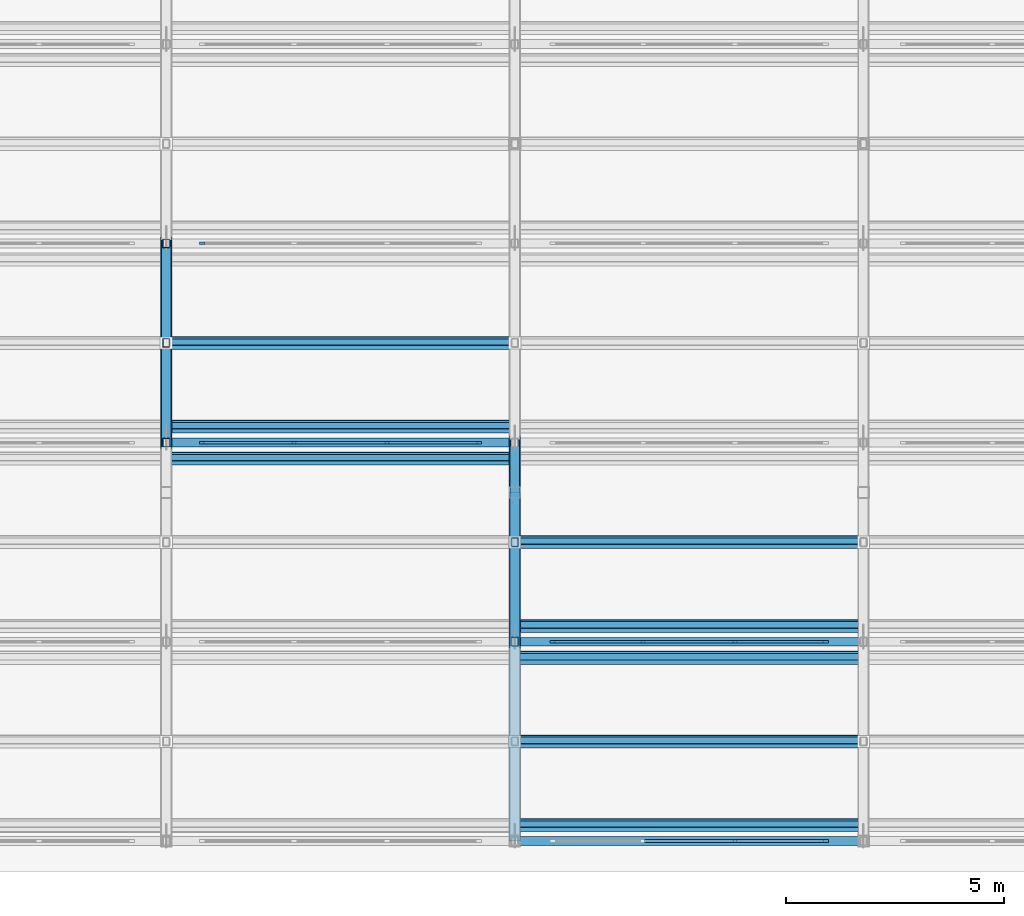
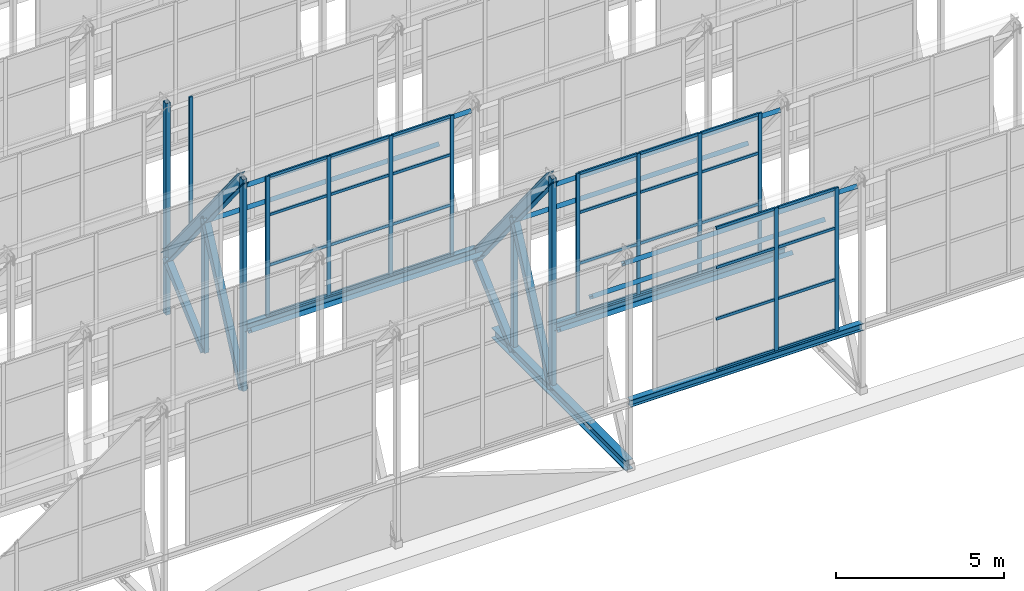
# One storey, part 10 of 34: 62 members, 4 beams, 4 elements without a shape of their own.
"""IFC4 building model written with IfcOpenShell, lengths in metres."""

from ifc_helpers import new_model, si_unit, direction, frame, origin, origin_2d, place, context, subcontext, project, spatial, rectangle, hollow_rectangle, i_section, extrude, material, layer, layer_set, material_profile, profile_set, type_object, element, aggregate, save


model = new_model("IFC4")

# Units and contexts
model_context = context("Model", 3, precision=1e-05, world=origin(), true_north=direction((0.0, 1.0)))
body_context = subcontext(model_context, "Body", "Model", "MODEL_VIEW")
ifc_project = project(units=[si_unit("LENGTHUNIT", "METRE"), si_unit("AREAUNIT", "SQUARE_METRE"), si_unit("VOLUMEUNIT", "CUBIC_METRE"), si_unit("PLANEANGLEUNIT", "RADIAN"), si_unit("MASSUNIT", "GRAM", prefix="KILO")], contexts=[model_context])

# Site, building, storey
site_placement = place(None, origin())
site = spatial("IfcSite", under=ifc_project, at=site_placement, CompositionType="ELEMENT")
building_placement = place(site_placement, origin())
building = spatial("IfcBuilding", under=site, at=building_placement, Name="Qorikala Patio Media Centre", CompositionType="ELEMENT")
storey_placement = place(building_placement, frame((0.0, 0.0, 32.699951171875)))
storey = spatial("IfcBuildingStorey", under=building, at=storey_placement, Name="RF", CompositionType="ELEMENT", Elevation=32.699951171875)

# Members
ifc_material_1 = material(Name="Steel S355", Category="steel")
ifc_material_profile_1 = material_profile(ifc_material_1, hollow_rectangle(XDim=0.219970703125, YDim=0.219970703125, WallThickness=0.010009765625, at=origin_2d()), Name="HSS220X220X10")
ifc_profile_set_1 = profile_set([ifc_material_profile_1], Name="Steel S355")
member_type_1 = type_object("IfcMemberType", Name="BRACE-HSS220", PredefinedType="BRACE", material=ifc_profile_set_1)
member_1_placement = place(storey_placement, frame((19.0, 12.142822265625, 0.35009765625), z_axis=(0.0, 0.424545396895, 0.90540665227), x_axis=(-1.0, 0.0, 0.0)))
element("IfcMember", 1, at=member_1_placement, inside=storey, type_object=member_type_1, Name="SAW-V1 Truss 3 Bay 3 Web Diagonal 1", PredefinedType="BRACE", context=body_context, shape_type="SweptSolid", body=[
    extrude(hollow_rectangle(XDim=0.219970703125, YDim=0.219970703125, WallThickness=0.010009765625, at=origin_2d()), origin(), (0.0, 0.0, 1.0), 5.38427734375),
])
member_2_placement = place(storey_placement, frame((19.0, 14.4287109375, 0.35009765625), z_axis=(0.0, 0.744431778243, 0.667698530432), x_axis=(-1.0, 0.0, 0.0)))
element("IfcMember", 2, at=member_2_placement, inside=storey, type_object=member_type_1, Name="SAW-V1 Truss 3 Bay 3 Web Diagonal 2", PredefinedType="BRACE", context=body_context, shape_type="SweptSolid", body=[
    extrude(hollow_rectangle(XDim=0.219970703125, YDim=0.219970703125, WallThickness=0.010009765625, at=origin_2d()), origin(), (0.0, 0.0, 1.0), 3.0703125),
])
member_3_placement = place(storey_placement, frame((27.0, 7.5712890625, 0.35009765625), z_axis=(0.0, 0.424545396895, 0.90540665227), x_axis=(-1.0, 0.0, 0.0)))
element("IfcMember", 3, at=member_3_placement, inside=storey, type_object=member_type_1, Name="SAW-V1 Truss 4 Bay 2 Web Diagonal 1", PredefinedType="BRACE", context=body_context, shape_type="SweptSolid", body=[
    extrude(hollow_rectangle(XDim=0.219970703125, YDim=0.219970703125, WallThickness=0.010009765625, at=origin_2d()), origin(), (0.0, 0.0, 1.0), 5.38427734375),
])
member_4_placement = place(storey_placement, frame((27.0, 9.857177734375, 0.35009765625), z_axis=(0.0, 0.744431778243, 0.667698530432), x_axis=(-1.0, 0.0, 0.0)))
element("IfcMember", 4, at=member_4_placement, inside=storey, type_object=member_type_1, Name="SAW-V1 Truss 4 Bay 2 Web Diagonal 2", PredefinedType="BRACE", context=body_context, shape_type="SweptSolid", body=[
    extrude(hollow_rectangle(XDim=0.219970703125, YDim=0.219970703125, WallThickness=0.010009765625, at=origin_2d()), origin(), (0.0, 0.0, 1.0), 3.0703125),
])
ifc_material_profile_2 = material_profile(ifc_material_1, i_section(OverallWidth=0.257080078125, OverallDepth=0.363037109375, WebThickness=0.012939453125, FlangeThickness=0.021728515625, at=origin_2d()), Name="W360X122")
ifc_profile_set_2 = profile_set([ifc_material_profile_2], Name="Steel S355")
member_type_2 = type_object("IfcMemberType", Name="CHORD-W360X122", PredefinedType="CHORD", material=ifc_profile_set_2)
for number, where, z_axis, x_axis, name in (
    (5, (19.0, 12.142822265625, 8.050048828125), (0.0, 0.629015570493, -0.777392701327), (-1.0, 0.0, 0.0), "SAW-V1 Truss 3 Bay 3 Sloped Top Chord"),
    (6, (27.0, 7.5712890625, 8.050048828125), (0.0, 0.629015570493, -0.777392701327), (-1.0, 0.0, 0.0), "SAW-V1 Truss 4 Bay 2 Sloped Top Chord"),
):
    element("IfcMember", number, at=place(storey_placement, frame(where, z_axis=z_axis, x_axis=x_axis)), inside=storey, type_object=member_type_2, Name=name, PredefinedType="CHORD", context=body_context, shape_type="SweptSolid", body=[
        extrude(i_section(OverallWidth=0.257080078125, OverallDepth=0.363037109375, WebThickness=0.012939453125, FlangeThickness=0.021728515625, at=origin_2d()), origin(), (0.0, 0.0, 1.0), 7.267822265625),
    ])

# Curtain wall, members
ifc_material_2 = material(Name="Bronze Anodised Aluminium and Low-E Glass", Category="aluminium")
ifc_layer_1 = layer(ifc_material_2, 0.159912109375)
ifc_layer_set_1 = layer_set([ifc_layer_1], Name="Bronze Anodised Aluminium and Low-E Glass")
curtain_wall_type_1 = type_object("IfcCurtainWallType", Name="CW-SAW-632X520", PredefinedType="USERDEFINED", material=ifc_layer_set_1)
curtain_wall_1_placement = place(storey_placement, origin())
curtain_wall_1 = element("IfcCurtainWall", 7, at=curtain_wall_1_placement, inside=storey, type_object=curtain_wall_type_1, Name="RF Sawtooth Glazing 110", ObjectType="SAWTOOTH GLAZING", PredefinedType="USERDEFINED")
ifc_material_3 = material(Name="Bronze Anodised Aluminium", Category="aluminium")
ifc_material_profile_3 = material_profile(ifc_material_3, rectangle(XDim=0.06005859375, YDim=0.1298828125, at=origin_2d()), Name="ALU MULLION 60x130")
ifc_profile_set_3 = profile_set([ifc_material_profile_3], Name="Bronze Anodised Aluminium")
member_type_3 = type_object("IfcMemberType", Name="CWM-60X130", PredefinedType="MULLION", material=ifc_profile_set_3)
member_5_placement = place(storey_placement, frame((32.05322265625, 3.0, 2.75), z_axis=(0.0, 0.0, 1.0), x_axis=(0.0, 1.0, 0.0)))
member_5 = element("IfcMember", 8, at=member_5_placement, type_object=member_type_3, Name="CWS632520 mullion 3", PredefinedType="MULLION", context=body_context, shape_type="SweptSolid", body=[
    extrude(rectangle(XDim=0.06005859375, YDim=0.1298828125, at=origin_2d()), origin(), (0.0, 0.0, 1.0), 5.199951171875),
])
member_6_placement = place(storey_placement, frame((34.1298828125, 3.0, 2.75), z_axis=(0.0, 0.0, 1.0), x_axis=(0.0, 1.0, 0.0)))
member_6 = element("IfcMember", 9, at=member_6_placement, type_object=member_type_3, Name="CWS632520 mullion 4", PredefinedType="MULLION", context=body_context, shape_type="SweptSolid", body=[
    extrude(rectangle(XDim=0.06005859375, YDim=0.1298828125, at=origin_2d()), origin(), (0.0, 0.0, 1.0), 5.199951171875),
])

ifc_layer_2 = layer(ifc_material_2, 0.159912109375)
ifc_layer_set_2 = layer_set([ifc_layer_2], Name="Bronze Anodised Aluminium and Low-E Glass")
curtain_wall_type_2 = type_object("IfcCurtainWallType", Name="CW-SAW-632X514", PredefinedType="USERDEFINED", material=ifc_layer_set_2)
curtain_wall_2_placement = place(storey_placement, origin())
curtain_wall_2 = element("IfcCurtainWall", 10, at=curtain_wall_2_placement, inside=storey, type_object=curtain_wall_type_2, Name="RF Sawtooth Glazing 115", ObjectType="SAWTOOTH GLAZING", PredefinedType="USERDEFINED")
member_7_placement = place(storey_placement, frame((27.8701171875, 7.5712890625, 2.75), z_axis=(0.0, 0.0, 1.0), x_axis=(0.0, 1.0, 0.0)))
member_7 = element("IfcMember", 11, at=member_7_placement, type_object=member_type_3, Name="CWS632514 mullion 1", PredefinedType="MULLION", context=body_context, shape_type="SweptSolid", body=[
    extrude(rectangle(XDim=0.06005859375, YDim=0.1298828125, at=origin_2d()), origin(), (0.0, 0.0, 1.0), 5.14013671875),
])
member_8_placement = place(storey_placement, frame((29.94677734375, 7.5712890625, 2.75), z_axis=(0.0, 0.0, 1.0), x_axis=(0.0, 1.0, 0.0)))
member_8 = element("IfcMember", 12, at=member_8_placement, type_object=member_type_3, Name="CWS632514 mullion 2", PredefinedType="MULLION", context=body_context, shape_type="SweptSolid", body=[
    extrude(rectangle(XDim=0.06005859375, YDim=0.1298828125, at=origin_2d()), origin(), (0.0, 0.0, 1.0), 5.14013671875),
])
member_9_placement = place(storey_placement, frame((32.05322265625, 7.5712890625, 2.75), z_axis=(0.0, 0.0, 1.0), x_axis=(0.0, 1.0, 0.0)))
member_9 = element("IfcMember", 13, at=member_9_placement, type_object=member_type_3, Name="CWS632514 mullion 3", PredefinedType="MULLION", context=body_context, shape_type="SweptSolid", body=[
    extrude(rectangle(XDim=0.06005859375, YDim=0.1298828125, at=origin_2d()), origin(), (0.0, 0.0, 1.0), 5.14013671875),
])
member_10_placement = place(storey_placement, frame((34.1298828125, 7.5712890625, 2.75), z_axis=(0.0, 0.0, 1.0), x_axis=(0.0, 1.0, 0.0)))
member_10 = element("IfcMember", 14, at=member_10_placement, type_object=member_type_3, Name="CWS632514 mullion 4", PredefinedType="MULLION", context=body_context, shape_type="SweptSolid", body=[
    extrude(rectangle(XDim=0.06005859375, YDim=0.1298828125, at=origin_2d()), origin(), (0.0, 0.0, 1.0), 5.14013671875),
])

ifc_layer_3 = layer(ifc_material_2, 0.159912109375)
ifc_layer_set_3 = layer_set([ifc_layer_3], Name="Bronze Anodised Aluminium and Low-E Glass")
curtain_wall_type_3 = type_object("IfcCurtainWallType", Name="CW-SAW-640X508", PredefinedType="USERDEFINED", material=ifc_layer_set_3)
curtain_wall_3_placement = place(storey_placement, origin())
curtain_wall_3 = element("IfcCurtainWall", 15, at=curtain_wall_3_placement, inside=storey, type_object=curtain_wall_type_3, Name="RF Sawtooth Glazing 119", ObjectType="SAWTOOTH GLAZING", PredefinedType="USERDEFINED")
member_11_placement = place(storey_placement, frame((19.830078125, 12.142822265625, 2.75), z_axis=(0.0, 0.0, 1.0), x_axis=(0.0, 1.0, 0.0)))
member_11 = element("IfcMember", 16, at=member_11_placement, type_object=member_type_3, Name="CWS640508 mullion 1", PredefinedType="MULLION", context=body_context, shape_type="SweptSolid", body=[
    extrude(rectangle(XDim=0.06005859375, YDim=0.1298828125, at=origin_2d()), origin(), (0.0, 0.0, 1.0), 5.080078125),
])
member_12_placement = place(storey_placement, frame((21.933349609375, 12.142822265625, 2.75), z_axis=(0.0, 0.0, 1.0), x_axis=(0.0, 1.0, 0.0)))
member_12 = element("IfcMember", 17, at=member_12_placement, type_object=member_type_3, Name="CWS640508 mullion 2", PredefinedType="MULLION", context=body_context, shape_type="SweptSolid", body=[
    extrude(rectangle(XDim=0.06005859375, YDim=0.1298828125, at=origin_2d()), origin(), (0.0, 0.0, 1.0), 5.080078125),
])
member_13_placement = place(storey_placement, frame((24.066650390625, 12.142822265625, 2.75), z_axis=(0.0, 0.0, 1.0), x_axis=(0.0, 1.0, 0.0)))
member_13 = element("IfcMember", 18, at=member_13_placement, type_object=member_type_3, Name="CWS640508 mullion 3", PredefinedType="MULLION", context=body_context, shape_type="SweptSolid", body=[
    extrude(rectangle(XDim=0.06005859375, YDim=0.1298828125, at=origin_2d()), origin(), (0.0, 0.0, 1.0), 5.080078125),
])
member_14_placement = place(storey_placement, frame((26.169921875, 12.142822265625, 2.75), z_axis=(0.0, 0.0, 1.0), x_axis=(0.0, 1.0, 0.0)))
member_14 = element("IfcMember", 19, at=member_14_placement, type_object=member_type_3, Name="CWS640508 mullion 4", PredefinedType="MULLION", context=body_context, shape_type="SweptSolid", body=[
    extrude(rectangle(XDim=0.06005859375, YDim=0.1298828125, at=origin_2d()), origin(), (0.0, 0.0, 1.0), 5.080078125),
])

# Curtain wall, member
ifc_layer_4 = layer(ifc_material_2, 0.159912109375)
ifc_layer_set_4 = layer_set([ifc_layer_4], Name="Bronze Anodised Aluminium and Low-E Glass")
curtain_wall_type_4 = type_object("IfcCurtainWallType", Name="CW-SAW-640X520", PredefinedType="USERDEFINED", material=ifc_layer_set_4)
curtain_wall_4_placement = place(storey_placement, origin())
curtain_wall_4 = element("IfcCurtainWall", 20, at=curtain_wall_4_placement, inside=storey, type_object=curtain_wall_type_4, Name="RF Sawtooth Glazing 124", ObjectType="SAWTOOTH GLAZING", PredefinedType="USERDEFINED")
member_15_placement = place(storey_placement, frame((19.830078125, 16.71435546875, 2.75), z_axis=(0.0, 0.0, 1.0), x_axis=(0.0, 1.0, 0.0)))
member_15 = element("IfcMember", 21, at=member_15_placement, type_object=member_type_3, Name="CWS640520 mullion 1", PredefinedType="MULLION", context=body_context, shape_type="SweptSolid", body=[
    extrude(rectangle(XDim=0.06005859375, YDim=0.1298828125, at=origin_2d()), origin(), (0.0, 0.0, 1.0), 5.199951171875),
])
aggregate(curtain_wall_4, [member_15])

# Member
ifc_material_profile_4 = material_profile(ifc_material_3, rectangle(XDim=0.06005859375, YDim=0.10009765625, at=origin_2d()), Name="ALU TRANSOM 60x100")
ifc_profile_set_4 = profile_set([ifc_material_profile_4], Name="Bronze Anodised Aluminium")
member_type_4 = type_object("IfcMemberType", Name="CWT-60X100", PredefinedType="USERDEFINED", material=ifc_profile_set_4)
member_16_placement = place(storey_placement, frame((29.9765625, 3.0, 2.780029296875), z_axis=(1.0, 0.0, 0.0), x_axis=(0.0, 1.0, 0.0)))
member_16 = element("IfcMember", 22, at=member_16_placement, type_object=member_type_4, Name="CWS632520 transom 2.1", ObjectType="TRANSOM", PredefinedType="USERDEFINED", context=body_context, shape_type="SweptSolid", body=[
    extrude(rectangle(XDim=0.06005859375, YDim=0.10009765625, at=origin_2d()), origin(), (0.0, 0.0, 1.0), 2.046875),
])

member_17_placement = place(storey_placement, frame((29.9765625, 3.0, 4.6220703125), z_axis=(1.0, 0.0, 0.0), x_axis=(0.0, 1.0, 0.0)))
member_17 = element("IfcMember", 23, at=member_17_placement, type_object=member_type_4, Name="CWS632520 transom 2.2", ObjectType="TRANSOM", PredefinedType="USERDEFINED", context=body_context, shape_type="SweptSolid", body=[
    extrude(rectangle(XDim=0.06005859375, YDim=0.10009765625, at=origin_2d()), origin(), (0.0, 0.0, 1.0), 2.046875),
])

member_18_placement = place(storey_placement, frame((29.9765625, 3.0, 6.494140625), z_axis=(1.0, 0.0, 0.0), x_axis=(0.0, 1.0, 0.0)))
member_18 = element("IfcMember", 24, at=member_18_placement, type_object=member_type_4, Name="CWS632520 transom 2.3", ObjectType="TRANSOM", PredefinedType="USERDEFINED", context=body_context, shape_type="SweptSolid", body=[
    extrude(rectangle(XDim=0.06005859375, YDim=0.10009765625, at=origin_2d()), origin(), (0.0, 0.0, 1.0), 2.046875),
])

member_19_placement = place(storey_placement, frame((29.9765625, 3.0, 7.920166015625), z_axis=(1.0, 0.0, 0.0), x_axis=(0.0, 1.0, 0.0)))
member_19 = element("IfcMember", 25, at=member_19_placement, type_object=member_type_4, Name="CWS632520 transom 2.4", ObjectType="TRANSOM", PredefinedType="USERDEFINED", context=body_context, shape_type="SweptSolid", body=[
    extrude(rectangle(XDim=0.06005859375, YDim=0.10009765625, at=origin_2d()), origin(), (0.0, 0.0, 1.0), 2.046875),
])

member_20_placement = place(storey_placement, frame((32.083251953125, 3.0, 2.780029296875), z_axis=(1.0, 0.0, 0.0), x_axis=(0.0, 1.0, 0.0)))
member_20 = element("IfcMember", 26, at=member_20_placement, type_object=member_type_4, Name="CWS632520 transom 3.1", ObjectType="TRANSOM", PredefinedType="USERDEFINED", context=body_context, shape_type="SweptSolid", body=[
    extrude(rectangle(XDim=0.06005859375, YDim=0.10009765625, at=origin_2d()), origin(), (0.0, 0.0, 1.0), 2.016845703125),
])

member_21_placement = place(storey_placement, frame((32.083251953125, 3.0, 4.6220703125), z_axis=(1.0, 0.0, 0.0), x_axis=(0.0, 1.0, 0.0)))
member_21 = element("IfcMember", 27, at=member_21_placement, type_object=member_type_4, Name="CWS632520 transom 3.2", ObjectType="TRANSOM", PredefinedType="USERDEFINED", context=body_context, shape_type="SweptSolid", body=[
    extrude(rectangle(XDim=0.06005859375, YDim=0.10009765625, at=origin_2d()), origin(), (0.0, 0.0, 1.0), 2.016845703125),
])

member_22_placement = place(storey_placement, frame((32.083251953125, 3.0, 6.494140625), z_axis=(1.0, 0.0, 0.0), x_axis=(0.0, 1.0, 0.0)))
member_22 = element("IfcMember", 28, at=member_22_placement, type_object=member_type_4, Name="CWS632520 transom 3.3", ObjectType="TRANSOM", PredefinedType="USERDEFINED", context=body_context, shape_type="SweptSolid", body=[
    extrude(rectangle(XDim=0.06005859375, YDim=0.10009765625, at=origin_2d()), origin(), (0.0, 0.0, 1.0), 2.016845703125),
])

member_23_placement = place(storey_placement, frame((32.083251953125, 3.0, 7.920166015625), z_axis=(1.0, 0.0, 0.0), x_axis=(0.0, 1.0, 0.0)))
member_23 = element("IfcMember", 29, at=member_23_placement, type_object=member_type_4, Name="CWS632520 transom 3.4", ObjectType="TRANSOM", PredefinedType="USERDEFINED", context=body_context, shape_type="SweptSolid", body=[
    extrude(rectangle(XDim=0.06005859375, YDim=0.10009765625, at=origin_2d()), origin(), (0.0, 0.0, 1.0), 2.016845703125),
])

aggregate(curtain_wall_1, [member_5, member_6, member_16, member_17, member_18, member_19, member_20, member_21, member_22, member_23])

member_24_placement = place(storey_placement, frame((27.89990234375, 7.5712890625, 2.780029296875), z_axis=(1.0, 0.0, 0.0), x_axis=(0.0, 1.0, 0.0)))
member_24 = element("IfcMember", 30, at=member_24_placement, type_object=member_type_4, Name="CWS632514 transom 1.1", ObjectType="TRANSOM", PredefinedType="USERDEFINED", context=body_context, shape_type="SweptSolid", body=[
    extrude(rectangle(XDim=0.06005859375, YDim=0.10009765625, at=origin_2d()), origin(), (0.0, 0.0, 1.0), 2.016845703125),
])

member_25_placement = place(storey_placement, frame((27.89990234375, 7.5712890625, 4.600341796875), z_axis=(1.0, 0.0, 0.0), x_axis=(0.0, 1.0, 0.0)))
member_25 = element("IfcMember", 31, at=member_25_placement, type_object=member_type_4, Name="CWS632514 transom 1.2", ObjectType="TRANSOM", PredefinedType="USERDEFINED", context=body_context, shape_type="SweptSolid", body=[
    extrude(rectangle(XDim=0.06005859375, YDim=0.10009765625, at=origin_2d()), origin(), (0.0, 0.0, 1.0), 2.016845703125),
])

member_26_placement = place(storey_placement, frame((27.89990234375, 7.5712890625, 6.450927734375), z_axis=(1.0, 0.0, 0.0), x_axis=(0.0, 1.0, 0.0)))
member_26 = element("IfcMember", 32, at=member_26_placement, type_object=member_type_4, Name="CWS632514 transom 1.3", ObjectType="TRANSOM", PredefinedType="USERDEFINED", context=body_context, shape_type="SweptSolid", body=[
    extrude(rectangle(XDim=0.06005859375, YDim=0.10009765625, at=origin_2d()), origin(), (0.0, 0.0, 1.0), 2.016845703125),
])

member_27_placement = place(storey_placement, frame((27.89990234375, 7.5712890625, 7.860107421875), z_axis=(1.0, 0.0, 0.0), x_axis=(0.0, 1.0, 0.0)))
member_27 = element("IfcMember", 33, at=member_27_placement, type_object=member_type_4, Name="CWS632514 transom 1.4", ObjectType="TRANSOM", PredefinedType="USERDEFINED", context=body_context, shape_type="SweptSolid", body=[
    extrude(rectangle(XDim=0.06005859375, YDim=0.10009765625, at=origin_2d()), origin(), (0.0, 0.0, 1.0), 2.016845703125),
])

member_28_placement = place(storey_placement, frame((29.9765625, 7.5712890625, 2.780029296875), z_axis=(1.0, 0.0, 0.0), x_axis=(0.0, 1.0, 0.0)))
member_28 = element("IfcMember", 34, at=member_28_placement, type_object=member_type_4, Name="CWS632514 transom 2.1", ObjectType="TRANSOM", PredefinedType="USERDEFINED", context=body_context, shape_type="SweptSolid", body=[
    extrude(rectangle(XDim=0.06005859375, YDim=0.10009765625, at=origin_2d()), origin(), (0.0, 0.0, 1.0), 2.046875),
])

member_29_placement = place(storey_placement, frame((29.9765625, 7.5712890625, 4.600341796875), z_axis=(1.0, 0.0, 0.0), x_axis=(0.0, 1.0, 0.0)))
member_29 = element("IfcMember", 35, at=member_29_placement, type_object=member_type_4, Name="CWS632514 transom 2.2", ObjectType="TRANSOM", PredefinedType="USERDEFINED", context=body_context, shape_type="SweptSolid", body=[
    extrude(rectangle(XDim=0.06005859375, YDim=0.10009765625, at=origin_2d()), origin(), (0.0, 0.0, 1.0), 2.046875),
])

member_30_placement = place(storey_placement, frame((29.9765625, 7.5712890625, 6.450927734375), z_axis=(1.0, 0.0, 0.0), x_axis=(0.0, 1.0, 0.0)))
member_30 = element("IfcMember", 36, at=member_30_placement, type_object=member_type_4, Name="CWS632514 transom 2.3", ObjectType="TRANSOM", PredefinedType="USERDEFINED", context=body_context, shape_type="SweptSolid", body=[
    extrude(rectangle(XDim=0.06005859375, YDim=0.10009765625, at=origin_2d()), origin(), (0.0, 0.0, 1.0), 2.046875),
])

member_31_placement = place(storey_placement, frame((29.9765625, 7.5712890625, 7.860107421875), z_axis=(1.0, 0.0, 0.0), x_axis=(0.0, 1.0, 0.0)))
member_31 = element("IfcMember", 37, at=member_31_placement, type_object=member_type_4, Name="CWS632514 transom 2.4", ObjectType="TRANSOM", PredefinedType="USERDEFINED", context=body_context, shape_type="SweptSolid", body=[
    extrude(rectangle(XDim=0.06005859375, YDim=0.10009765625, at=origin_2d()), origin(), (0.0, 0.0, 1.0), 2.046875),
])

member_32_placement = place(storey_placement, frame((32.083251953125, 7.5712890625, 2.780029296875), z_axis=(1.0, 0.0, 0.0), x_axis=(0.0, 1.0, 0.0)))
member_32 = element("IfcMember", 38, at=member_32_placement, type_object=member_type_4, Name="CWS632514 transom 3.1", ObjectType="TRANSOM", PredefinedType="USERDEFINED", context=body_context, shape_type="SweptSolid", body=[
    extrude(rectangle(XDim=0.06005859375, YDim=0.10009765625, at=origin_2d()), origin(), (0.0, 0.0, 1.0), 2.016845703125),
])

member_33_placement = place(storey_placement, frame((32.083251953125, 7.5712890625, 4.600341796875), z_axis=(1.0, 0.0, 0.0), x_axis=(0.0, 1.0, 0.0)))
member_33 = element("IfcMember", 39, at=member_33_placement, type_object=member_type_4, Name="CWS632514 transom 3.2", ObjectType="TRANSOM", PredefinedType="USERDEFINED", context=body_context, shape_type="SweptSolid", body=[
    extrude(rectangle(XDim=0.06005859375, YDim=0.10009765625, at=origin_2d()), origin(), (0.0, 0.0, 1.0), 2.016845703125),
])

member_34_placement = place(storey_placement, frame((32.083251953125, 7.5712890625, 6.450927734375), z_axis=(1.0, 0.0, 0.0), x_axis=(0.0, 1.0, 0.0)))
member_34 = element("IfcMember", 40, at=member_34_placement, type_object=member_type_4, Name="CWS632514 transom 3.3", ObjectType="TRANSOM", PredefinedType="USERDEFINED", context=body_context, shape_type="SweptSolid", body=[
    extrude(rectangle(XDim=0.06005859375, YDim=0.10009765625, at=origin_2d()), origin(), (0.0, 0.0, 1.0), 2.016845703125),
])

member_35_placement = place(storey_placement, frame((32.083251953125, 7.5712890625, 7.860107421875), z_axis=(1.0, 0.0, 0.0), x_axis=(0.0, 1.0, 0.0)))
member_35 = element("IfcMember", 41, at=member_35_placement, type_object=member_type_4, Name="CWS632514 transom 3.4", ObjectType="TRANSOM", PredefinedType="USERDEFINED", context=body_context, shape_type="SweptSolid", body=[
    extrude(rectangle(XDim=0.06005859375, YDim=0.10009765625, at=origin_2d()), origin(), (0.0, 0.0, 1.0), 2.016845703125),
])

aggregate(curtain_wall_2, [member_7, member_8, member_9, member_10, member_24, member_25, member_26, member_27, member_28, member_29, member_30, member_31, member_32, member_33, member_34, member_35])

member_36_placement = place(storey_placement, frame((19.860107421875, 12.142822265625, 2.780029296875), z_axis=(1.0, 0.0, 0.0), x_axis=(0.0, 1.0, 0.0)))
member_36 = element("IfcMember", 42, at=member_36_placement, type_object=member_type_4, Name="CWS640508 transom 1.1", ObjectType="TRANSOM", PredefinedType="USERDEFINED", context=body_context, shape_type="SweptSolid", body=[
    extrude(rectangle(XDim=0.06005859375, YDim=0.10009765625, at=origin_2d()), origin(), (0.0, 0.0, 1.0), 2.043212890625),
])

member_37_placement = place(storey_placement, frame((19.860107421875, 12.142822265625, 4.578857421875), z_axis=(1.0, 0.0, 0.0), x_axis=(0.0, 1.0, 0.0)))
member_37 = element("IfcMember", 43, at=member_37_placement, type_object=member_type_4, Name="CWS640508 transom 1.2", ObjectType="TRANSOM", PredefinedType="USERDEFINED", context=body_context, shape_type="SweptSolid", body=[
    extrude(rectangle(XDim=0.06005859375, YDim=0.10009765625, at=origin_2d()), origin(), (0.0, 0.0, 1.0), 2.043212890625),
])

member_38_placement = place(storey_placement, frame((19.860107421875, 12.142822265625, 6.40771484375), z_axis=(1.0, 0.0, 0.0), x_axis=(0.0, 1.0, 0.0)))
member_38 = element("IfcMember", 44, at=member_38_placement, type_object=member_type_4, Name="CWS640508 transom 1.3", ObjectType="TRANSOM", PredefinedType="USERDEFINED", context=body_context, shape_type="SweptSolid", body=[
    extrude(rectangle(XDim=0.06005859375, YDim=0.10009765625, at=origin_2d()), origin(), (0.0, 0.0, 1.0), 2.043212890625),
])

member_39_placement = place(storey_placement, frame((19.860107421875, 12.142822265625, 7.800048828125), z_axis=(1.0, 0.0, 0.0), x_axis=(0.0, 1.0, 0.0)))
member_39 = element("IfcMember", 45, at=member_39_placement, type_object=member_type_4, Name="CWS640508 transom 1.4", ObjectType="TRANSOM", PredefinedType="USERDEFINED", context=body_context, shape_type="SweptSolid", body=[
    extrude(rectangle(XDim=0.06005859375, YDim=0.10009765625, at=origin_2d()), origin(), (0.0, 0.0, 1.0), 2.043212890625),
])

member_40_placement = place(storey_placement, frame((21.96337890625, 12.142822265625, 2.780029296875), z_axis=(1.0, 0.0, 0.0), x_axis=(0.0, 1.0, 0.0)))
member_40 = element("IfcMember", 46, at=member_40_placement, type_object=member_type_4, Name="CWS640508 transom 2.1", ObjectType="TRANSOM", PredefinedType="USERDEFINED", context=body_context, shape_type="SweptSolid", body=[
    extrude(rectangle(XDim=0.06005859375, YDim=0.10009765625, at=origin_2d()), origin(), (0.0, 0.0, 1.0), 2.0732421875),
])

member_41_placement = place(storey_placement, frame((21.96337890625, 12.142822265625, 4.578857421875), z_axis=(1.0, 0.0, 0.0), x_axis=(0.0, 1.0, 0.0)))
member_41 = element("IfcMember", 47, at=member_41_placement, type_object=member_type_4, Name="CWS640508 transom 2.2", ObjectType="TRANSOM", PredefinedType="USERDEFINED", context=body_context, shape_type="SweptSolid", body=[
    extrude(rectangle(XDim=0.06005859375, YDim=0.10009765625, at=origin_2d()), origin(), (0.0, 0.0, 1.0), 2.0732421875),
])

member_42_placement = place(storey_placement, frame((21.96337890625, 12.142822265625, 6.40771484375), z_axis=(1.0, 0.0, 0.0), x_axis=(0.0, 1.0, 0.0)))
member_42 = element("IfcMember", 48, at=member_42_placement, type_object=member_type_4, Name="CWS640508 transom 2.3", ObjectType="TRANSOM", PredefinedType="USERDEFINED", context=body_context, shape_type="SweptSolid", body=[
    extrude(rectangle(XDim=0.06005859375, YDim=0.10009765625, at=origin_2d()), origin(), (0.0, 0.0, 1.0), 2.0732421875),
])

member_43_placement = place(storey_placement, frame((21.96337890625, 12.142822265625, 7.800048828125), z_axis=(1.0, 0.0, 0.0), x_axis=(0.0, 1.0, 0.0)))
member_43 = element("IfcMember", 49, at=member_43_placement, type_object=member_type_4, Name="CWS640508 transom 2.4", ObjectType="TRANSOM", PredefinedType="USERDEFINED", context=body_context, shape_type="SweptSolid", body=[
    extrude(rectangle(XDim=0.06005859375, YDim=0.10009765625, at=origin_2d()), origin(), (0.0, 0.0, 1.0), 2.0732421875),
])

member_44_placement = place(storey_placement, frame((24.0966796875, 12.142822265625, 2.780029296875), z_axis=(1.0, 0.0, 0.0), x_axis=(0.0, 1.0, 0.0)))
member_44 = element("IfcMember", 50, at=member_44_placement, type_object=member_type_4, Name="CWS640508 transom 3.1", ObjectType="TRANSOM", PredefinedType="USERDEFINED", context=body_context, shape_type="SweptSolid", body=[
    extrude(rectangle(XDim=0.06005859375, YDim=0.10009765625, at=origin_2d()), origin(), (0.0, 0.0, 1.0), 2.043212890625),
])

member_45_placement = place(storey_placement, frame((24.0966796875, 12.142822265625, 4.578857421875), z_axis=(1.0, 0.0, 0.0), x_axis=(0.0, 1.0, 0.0)))
member_45 = element("IfcMember", 51, at=member_45_placement, type_object=member_type_4, Name="CWS640508 transom 3.2", ObjectType="TRANSOM", PredefinedType="USERDEFINED", context=body_context, shape_type="SweptSolid", body=[
    extrude(rectangle(XDim=0.06005859375, YDim=0.10009765625, at=origin_2d()), origin(), (0.0, 0.0, 1.0), 2.043212890625),
])

member_46_placement = place(storey_placement, frame((24.0966796875, 12.142822265625, 6.40771484375), z_axis=(1.0, 0.0, 0.0), x_axis=(0.0, 1.0, 0.0)))
member_46 = element("IfcMember", 52, at=member_46_placement, type_object=member_type_4, Name="CWS640508 transom 3.3", ObjectType="TRANSOM", PredefinedType="USERDEFINED", context=body_context, shape_type="SweptSolid", body=[
    extrude(rectangle(XDim=0.06005859375, YDim=0.10009765625, at=origin_2d()), origin(), (0.0, 0.0, 1.0), 2.043212890625),
])

member_47_placement = place(storey_placement, frame((24.0966796875, 12.142822265625, 7.800048828125), z_axis=(1.0, 0.0, 0.0), x_axis=(0.0, 1.0, 0.0)))
member_47 = element("IfcMember", 53, at=member_47_placement, type_object=member_type_4, Name="CWS640508 transom 3.4", ObjectType="TRANSOM", PredefinedType="USERDEFINED", context=body_context, shape_type="SweptSolid", body=[
    extrude(rectangle(XDim=0.06005859375, YDim=0.10009765625, at=origin_2d()), origin(), (0.0, 0.0, 1.0), 2.043212890625),
])

aggregate(curtain_wall_3, [member_11, member_12, member_13, member_14, member_36, member_37, member_38, member_39, member_40, member_41, member_42, member_43, member_44, member_45, member_46, member_47])

# Members
ifc_material_profile_5 = material_profile(ifc_material_1, i_section(OverallWidth=0.14794921875, OverallDepth=0.26611328125, WebThickness=0.007568359375, FlangeThickness=0.012939453125, at=origin_2d()), Name="W250X45")
ifc_profile_set_5 = profile_set([ifc_material_profile_5], Name="Steel S355")
member_type_5 = type_object("IfcMemberType", Name="PURLIN-W250X45", PredefinedType="PURLIN", material=ifc_profile_set_5)
for number, where, z_axis, x_axis, name in (
    (54, (27.0, 3.36572265625, 7.450439453125), (1.0, 0.0, 0.0), (0.0, 0.62899480571, 0.777409502379), "SAW-V1 Bay 1 Roof Purlin"),
    (55, (27.0, 5.28564453125, 5.077392578125), (1.0, 0.0, 0.0), (0.0, 0.62899480571, 0.777409502379), "SAW-V1 Bay 1 Roof Purlin"),
    (56, (27.0, 7.205810546875, 2.704345703125), (1.0, 0.0, 0.0), (0.0, 0.62899480571, 0.777409502379), "SAW-V1 Bay 1 Roof Purlin"),
    (57, (27.0, 7.93701171875, 7.450439453125), (1.0, 0.0, 0.0), (0.0, 0.62899480571, 0.777409502379), "SAW-V1 Bay 2 Roof Purlin"),
    (58, (27.0, 9.857177734375, 5.077392578125), (1.0, 0.0, 0.0), (0.0, 0.62899480571, 0.777409502379), "SAW-V1 Bay 2 Roof Purlin"),
    (59, (19.0, 11.777099609375, 2.704345703125), (1.0, 0.0, 0.0), (0.0, 0.62899480571, 0.777409502379), "SAW-V1 Bay 2 Roof Purlin"),
    (60, (19.0, 12.508544921875, 7.450439453125), (1.0, 0.0, 0.0), (0.0, 0.62899480571, 0.777409502379), "SAW-V1 Bay 3 Roof Purlin"),
    (61, (19.0, 14.4287109375, 5.077392578125), (1.0, 0.0, 0.0), (0.0, 0.62899480571, 0.777409502379), "SAW-V1 Bay 3 Roof Purlin"),
):
    element("IfcMember", number, at=place(storey_placement, frame(where, z_axis=z_axis, x_axis=x_axis)), inside=storey, type_object=member_type_5, Name=name, PredefinedType="PURLIN", context=body_context, shape_type="SweptSolid", body=[
        extrude(i_section(OverallWidth=0.14794921875, OverallDepth=0.26611328125, WebThickness=0.007568359375, FlangeThickness=0.012939453125, at=origin_2d()), origin(), (0.0, 0.0, 1.0), 8.0),
    ])

# Beams
ifc_material_profile_6 = material_profile(ifc_material_1, i_section(OverallWidth=0.202880859375, OverallDepth=0.251953125, WebThickness=0.008056640625, FlangeThickness=0.013427734375, at=origin_2d()), Name="W250X58")
ifc_profile_set_6 = profile_set([ifc_material_profile_6], Name="Steel S355")
beam_type_1 = type_object("IfcBeamType", Name="SBM-W250X58", PredefinedType="BEAM", material=ifc_profile_set_6)
for number, where, z_axis, x_axis, name in (
    (62, (27.0, 3.0, 2.625), (1.0, 0.0, 0.0), (0.0, 1.0, 0.0), "Sawtooth V1 Clerestory Sill Beam 1.4"),
    (63, (27.0, 7.5712890625, 2.625), (1.0, 0.0, 0.0), (0.0, 1.0, 0.0), "Sawtooth V1 Clerestory Sill Beam 2.4"),
    (64, (19.0, 12.142822265625, 2.625), (1.0, 0.0, 0.0), (0.0, 1.0, 0.0), "Sawtooth V1 Clerestory Sill Beam 3.3"),
):
    element("IfcBeam", number, at=place(storey_placement, frame(where, z_axis=z_axis, x_axis=x_axis)), inside=storey, type_object=beam_type_1, Name=name, PredefinedType="BEAM", context=body_context, shape_type="SweptSolid", body=[
        extrude(i_section(OverallWidth=0.202880859375, OverallDepth=0.251953125, WebThickness=0.008056640625, FlangeThickness=0.013427734375, at=origin_2d()), origin(), (0.0, 0.0, 1.0), 8.0),
    ])
ifc_material_profile_7 = material_profile(ifc_material_1, i_section(OverallWidth=0.257080078125, OverallDepth=0.363037109375, WebThickness=0.012939453125, FlangeThickness=0.021728515625, at=origin_2d()), Name="W360X122")
ifc_profile_set_7 = profile_set([ifc_material_profile_7], Name="Steel S355")
beam_type_2 = type_object("IfcBeamType", Name="SBM-W360X122", PredefinedType="BEAM", material=ifc_profile_set_7)
beam_placement = place(storey_placement, frame((27.0, 3.0, 0.35009765625), z_axis=(0.0, 1.0, 0.0), x_axis=(-1.0, 0.0, 0.0)))
element("IfcBeam", 65, at=beam_placement, inside=storey, type_object=beam_type_2, Name="SAW-V1 Longitudinal Truss Tie Girder X=27", PredefinedType="BEAM", context=body_context, shape_type="SweptSolid", body=[
    extrude(i_section(OverallWidth=0.257080078125, OverallDepth=0.363037109375, WebThickness=0.012939453125, FlangeThickness=0.021728515625, at=origin_2d()), origin(), (0.0, 0.0, 1.0), 8.0),
])

# Members
ifc_material_profile_8 = material_profile(ifc_material_1, hollow_rectangle(XDim=0.14990234375, YDim=0.199951171875, WallThickness=0.008056640625, at=origin_2d()), Name="HSS200X150X8")
ifc_profile_set_8 = profile_set([ifc_material_profile_8], Name="Steel S355")
member_type_6 = type_object("IfcMemberType", Name="STRUT-HSS200", PredefinedType="STRUT", material=ifc_profile_set_8)
member_48_placement = place(storey_placement, frame((19.0, 12.142822265625, 0.35009765625), z_axis=(0.0, 0.0, 1.0), x_axis=(1.0, 0.0, 0.0)))
element("IfcMember", 66, at=member_48_placement, inside=storey, type_object=member_type_6, Name="SAW-V1 Truss 3 Bay 3 Clerestory Post", PredefinedType="STRUT", context=body_context, shape_type="SweptSolid", body=[
    extrude(hollow_rectangle(XDim=0.14990234375, YDim=0.199951171875, WallThickness=0.008056640625, at=origin_2d()), origin(), (0.0, 0.0, 1.0), 7.699951171875),
])
member_49_placement = place(storey_placement, frame((19.0, 14.4287109375, 0.35009765625), z_axis=(0.0, 0.0, 1.0), x_axis=(1.0, 0.0, 0.0)))
element("IfcMember", 67, at=member_49_placement, inside=storey, type_object=member_type_6, Name="SAW-V1 Truss 3 Bay 3 Mid Strut", PredefinedType="STRUT", context=body_context, shape_type="SweptSolid", body=[
    extrude(hollow_rectangle(XDim=0.14990234375, YDim=0.199951171875, WallThickness=0.008056640625, at=origin_2d()), origin(), (0.0, 0.0, 1.0), 4.875),
])
for number, where, z_axis, x_axis, name in (
    (68, (19.0, 16.71435546875, 0.35009765625), (0.0, 0.0, 1.0), (1.0, 0.0, 0.0), "SAW-V1 Truss 3 Bay 4 Clerestory Post"),
    (69, (27.0, 7.5712890625, 0.35009765625), (0.0, 0.0, 1.0), (1.0, 0.0, 0.0), "SAW-V1 Truss 4 Bay 2 Clerestory Post"),
):
    element("IfcMember", number, at=place(storey_placement, frame(where, z_axis=z_axis, x_axis=x_axis)), inside=storey, type_object=member_type_6, Name=name, PredefinedType="STRUT", context=body_context, shape_type="SweptSolid", body=[
        extrude(hollow_rectangle(XDim=0.14990234375, YDim=0.199951171875, WallThickness=0.008056640625, at=origin_2d()), origin(), (0.0, 0.0, 1.0), 7.699951171875),
    ])
member_50_placement = place(storey_placement, frame((27.0, 9.857177734375, 0.35009765625), z_axis=(0.0, 0.0, 1.0), x_axis=(1.0, 0.0, 0.0)))
element("IfcMember", 70, at=member_50_placement, inside=storey, type_object=member_type_6, Name="SAW-V1 Truss 4 Bay 2 Mid Strut", PredefinedType="STRUT", context=body_context, shape_type="SweptSolid", body=[
    extrude(hollow_rectangle(XDim=0.14990234375, YDim=0.199951171875, WallThickness=0.008056640625, at=origin_2d()), origin(), (0.0, 0.0, 1.0), 4.875),
])

save(model, "model.ifc")
